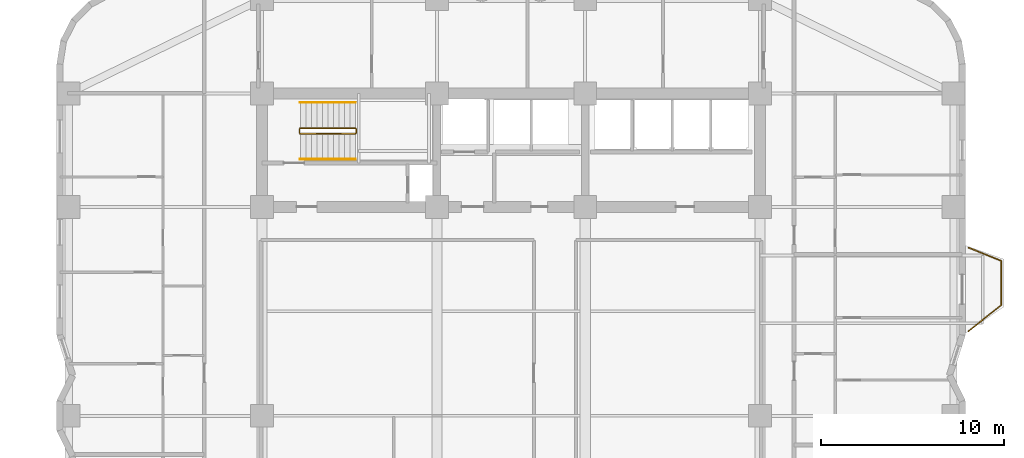
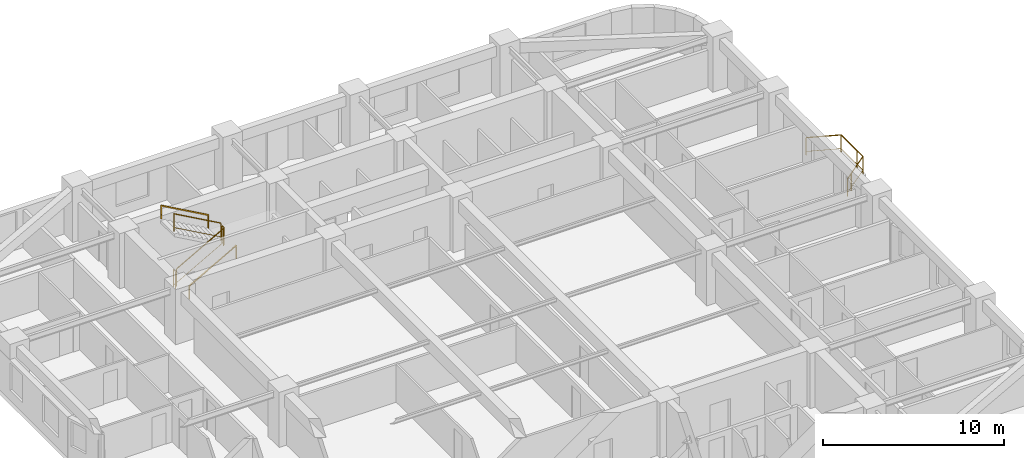
# One storey, part 9 of 9: 7 railings.
"""IFC4 building model written with IfcOpenShell, lengths in metres."""

from ifc_helpers import new_model, si_unit, direction, frame, origin, origin_2d, place, context, subcontext, project, spatial, rectangle, extrude, material, type_object, element, save


model = new_model("IFC4")

# Units and contexts
model_context = context("Model", 3, precision=1e-05, world=origin(), true_north=direction((0.0, 1.0)))
body_context = subcontext(model_context, "Body", "Model", "MODEL_VIEW")
ifc_project = project(units=[si_unit("LENGTHUNIT", "METRE"), si_unit("AREAUNIT", "SQUARE_METRE"), si_unit("VOLUMEUNIT", "CUBIC_METRE"), si_unit("PLANEANGLEUNIT", "RADIAN"), si_unit("MASSUNIT", "GRAM", prefix="KILO")], contexts=[model_context])

# Site, building, storey
site_placement = place(None, origin())
site = spatial("IfcSite", under=ifc_project, at=site_placement, CompositionType="ELEMENT")
building_placement = place(site_placement, origin())
building = spatial("IfcBuilding", under=site, at=building_placement, Name="Svetorya Sky Lyceum", CompositionType="ELEMENT")
storey_placement = place(building_placement, frame((0.0, 0.0, 65.800048828125)))
storey = spatial("IfcBuildingStorey", under=building, at=storey_placement, Name="L16", CompositionType="ELEMENT", Elevation=65.800048828125)

# Railings
ifc_material_1 = material(Name="Laminated safety glass and stainless AISI 316", Category="glass")
railing_type_1 = type_object("IfcRailingType", Name="RL-BAL-1200", PredefinedType="BALUSTRADE", material=ifc_material_1)
railing_1_placement = place(storey_placement, frame((64.169921875, 37.3798828125, 0.0)))
element("IfcRailing", 1, at=railing_1_placement, inside=storey, type_object=railing_type_1, Name="L16 Balcony Balustrade BAL-E1", PredefinedType="BALUSTRADE", context=body_context, shape_type="SweptSolid", body=[
    extrude(rectangle(XDim=0.048095703125, YDim=0.048095703125, at=origin_2d()), frame((0.0, 0.0, 1.17578125), z_axis=(0.926697865975, -0.375807218129, 0.0), x_axis=(0.375807218129, 0.926697865975, 0.0)), (0.0, 0.0, 1.0), 1.9423828125),
    extrude(rectangle(XDim=0.02392578125, YDim=0.02392578125, at=origin_2d()), frame((0.0, 0.0, 0.25), z_axis=(0.926697865975, -0.375807218129, 0.0), x_axis=(0.375807218129, 0.926697865975, 0.0)), (0.0, 0.0, 1.0), 1.9423828125),
    extrude(rectangle(XDim=0.048095703125, YDim=0.048095703125, at=origin_2d()), frame((1.800048828125, -0.72998046875, 1.17578125), z_axis=(0.0, -1.0, 0.0), x_axis=(1.0, 0.0, 0.0)), (0.0, 0.0, 1.0), 2.39990234375),
    extrude(rectangle(XDim=0.02392578125, YDim=0.02392578125, at=origin_2d()), frame((1.800048828125, -0.72998046875, 0.25), z_axis=(0.0, -1.0, 0.0), x_axis=(1.0, 0.0, 0.0)), (0.0, 0.0, 1.0), 2.39990234375),
    extrude(rectangle(XDim=0.048095703125, YDim=0.048095703125, at=origin_2d()), frame((1.800048828125, -3.1298828125, 1.17578125), z_axis=(-0.783008919264, -0.622010476079, 0.0), x_axis=(0.622010476079, -0.783008919264, 0.0)), (0.0, 0.0, 1.0), 2.298828125),
    extrude(rectangle(XDim=0.02392578125, YDim=0.02392578125, at=origin_2d()), frame((1.800048828125, -3.1298828125, 0.25), z_axis=(-0.783008919264, -0.622010476079, 0.0), x_axis=(0.622010476079, -0.783008919264, 0.0)), (0.0, 0.0, 1.0), 2.298828125),
    extrude(rectangle(XDim=0.0419921875, YDim=0.0419921875, at=origin_2d()), origin(), (0.0, 0.0, 1.0), 1.15185546875),
    extrude(rectangle(XDim=0.0419921875, YDim=0.0419921875, at=origin_2d()), frame((1.800048828125, -0.72998046875, 0.0)), (0.0, 0.0, 1.0), 1.15185546875),
    extrude(rectangle(XDim=0.0419921875, YDim=0.0419921875, at=origin_2d()), frame((1.800048828125, -2.47998046875, 0.0)), (0.0, 0.0, 1.0), 1.15185546875),
    extrude(rectangle(XDim=0.0419921875, YDim=0.0419921875, at=origin_2d()), frame((1.800048828125, -3.1298828125, 0.0)), (0.0, 0.0, 1.0), 1.15185546875),
    extrude(rectangle(XDim=0.0419921875, YDim=0.0419921875, at=origin_2d()), frame((0.4296875, -4.218505859375, 0.0)), (0.0, 0.0, 1.0), 1.15185546875),
    extrude(rectangle(XDim=0.0419921875, YDim=0.0419921875, at=origin_2d()), frame((0.0, -4.559814453125, 0.0)), (0.0, 0.0, 1.0), 1.15185546875),
])
ifc_material_2 = material(Name="Painted galvanized stair well guard")
railing_type_2 = type_object("IfcRailingType", Name="RL-STR-GUARD-1200", PredefinedType="GUARDRAIL", material=ifc_material_2)
railing_2_placement = place(storey_placement, frame((27.699951171875, 43.60009765625, 0.168212890625)))
element("IfcRailing", 2, at=railing_2_placement, inside=storey, type_object=railing_type_2, Name="L16 ST-N stair guard 1", PredefinedType="GUARDRAIL", context=body_context, shape_type="SweptSolid", body=[
    extrude(rectangle(XDim=0.048095703125, YDim=0.048095703125, at=origin_2d()), frame((0.0, 0.0, 1.17578125), z_axis=(0.872302573547, 0.0, 0.488966481656), x_axis=(0.0, 1.0, 0.0)), (0.0, 0.0, 1.0), 3.439208984375),
    extrude(rectangle(XDim=0.02392578125, YDim=0.02392578125, at=origin_2d()), frame((0.0, 0.0, 0.25), z_axis=(0.872302573547, 0.0, 0.488966481656), x_axis=(0.0, 1.0, 0.0)), (0.0, 0.0, 1.0), 3.439208984375),
    extrude(rectangle(XDim=0.0419921875, YDim=0.0419921875, at=origin_2d()), origin(), (0.0, 0.0, 1.0), 1.15185546875),
    extrude(rectangle(XDim=0.0419921875, YDim=0.0419921875, at=origin_2d()), frame((3.0, 0.0, 1.681640625)), (0.0, 0.0, 1.0), 1.15185546875),
])
railing_3_placement = place(storey_placement, frame((30.75, 43.64990234375, 1.849853515625)))
element("IfcRailing", 3, at=railing_3_placement, inside=storey, type_object=railing_type_2, Name="L16 ST-N stair guard 2", PredefinedType="GUARDRAIL", context=body_context, shape_type="SweptSolid", body=[
    extrude(rectangle(XDim=0.048095703125, YDim=0.048095703125, at=origin_2d()), frame((0.0, 0.0, 1.17578125), z_axis=(0.0, 1.0, 0.0), x_axis=(-1.0, 0.0, 0.0)), (0.0, 0.0, 1.0), 0.2001953125),
    extrude(rectangle(XDim=0.02392578125, YDim=0.02392578125, at=origin_2d()), frame((0.0, 0.0, 0.25), z_axis=(0.0, 1.0, 0.0), x_axis=(-1.0, 0.0, 0.0)), (0.0, 0.0, 1.0), 0.2001953125),
    extrude(rectangle(XDim=0.0419921875, YDim=0.0419921875, at=origin_2d()), origin(), (0.0, 0.0, 1.0), 1.15185546875),
    extrude(rectangle(XDim=0.0419921875, YDim=0.0419921875, at=origin_2d()), frame((0.0, 0.2001953125, 0.0)), (0.0, 0.0, 1.0), 1.15185546875),
])
railing_4_placement = place(storey_placement, frame((30.699951171875, 43.89990234375, 2.01806640625)))
element("IfcRailing", 4, at=railing_4_placement, inside=storey, type_object=railing_type_2, Name="L16 ST-N stair guard 3", PredefinedType="GUARDRAIL", context=body_context, shape_type="SweptSolid", body=[
    extrude(rectangle(XDim=0.048095703125, YDim=0.048095703125, at=origin_2d()), frame((0.0, 0.0, 1.17578125), z_axis=(-0.872272294576, 0.0, 0.489020494575), x_axis=(0.0, -1.0, 0.0)), (0.0, 0.0, 1.0), 3.439208984375),
    extrude(rectangle(XDim=0.02392578125, YDim=0.02392578125, at=origin_2d()), frame((0.0, 0.0, 0.25), z_axis=(-0.872272294576, 0.0, 0.489020494575), x_axis=(0.0, -1.0, 0.0)), (0.0, 0.0, 1.0), 3.439208984375),
    extrude(rectangle(XDim=0.0419921875, YDim=0.0419921875, at=origin_2d()), origin(), (0.0, 0.0, 1.0), 1.15185546875),
    extrude(rectangle(XDim=0.0419921875, YDim=0.0419921875, at=origin_2d()), frame((-3.0, 0.0, 1.681884765625)), (0.0, 0.0, 1.0), 1.15185546875),
])
railing_5_placement = place(storey_placement, frame((27.64990234375, 43.64990234375, 0.0)))
element("IfcRailing", 5, at=railing_5_placement, inside=storey, type_object=railing_type_2, Name="L16 ST-N stair guard 4", PredefinedType="GUARDRAIL", context=body_context, shape_type="SweptSolid", body=[
    extrude(rectangle(XDim=0.048095703125, YDim=0.048095703125, at=origin_2d()), frame((0.0, 0.0, 1.17578125), z_axis=(0.0, 1.0, 0.0), x_axis=(-1.0, 0.0, 0.0)), (0.0, 0.0, 1.0), 0.2001953125),
    extrude(rectangle(XDim=0.02392578125, YDim=0.02392578125, at=origin_2d()), frame((0.0, 0.0, 0.25), z_axis=(0.0, 1.0, 0.0), x_axis=(-1.0, 0.0, 0.0)), (0.0, 0.0, 1.0), 0.2001953125),
    extrude(rectangle(XDim=0.0419921875, YDim=0.0419921875, at=origin_2d()), origin(), (0.0, 0.0, 1.0), 1.15185546875),
    extrude(rectangle(XDim=0.0419921875, YDim=0.0419921875, at=origin_2d()), frame((0.0, 0.2001953125, 0.0)), (0.0, 0.0, 1.0), 1.15185546875),
])
ifc_material_3 = material(Name="Brushed stainless AISI 304 stair handrail")
railing_type_3 = type_object("IfcRailingType", Name="RL-STR-HAND-920", PredefinedType="HANDRAIL", material=ifc_material_3)
railing_6_placement = place(storey_placement, frame((27.699951171875, 42.199951171875, 0.168212890625)))
element("IfcRailing", 6, at=railing_6_placement, inside=storey, type_object=railing_type_3, Name="L16 ST-N stair handrail 1", PredefinedType="HANDRAIL", context=body_context, shape_type="SweptSolid", body=[
    extrude(rectangle(XDim=0.048095703125, YDim=0.048095703125, at=origin_2d()), frame((0.0, 0.0, 0.8759765625), z_axis=(0.872302573547, 0.0, 0.488966481656), x_axis=(0.0, 1.0, 0.0)), (0.0, 0.0, 1.0), 3.439208984375),
    extrude(rectangle(XDim=0.0419921875, YDim=0.0419921875, at=origin_2d()), origin(), (0.0, 0.0, 1.0), 0.851806640625),
    extrude(rectangle(XDim=0.0419921875, YDim=0.0419921875, at=origin_2d()), frame((3.0, 0.0, 1.681640625)), (0.0, 0.0, 1.0), 0.851806640625),
])
railing_7_placement = place(storey_placement, frame((30.699951171875, 45.300048828125, 2.01806640625)))
element("IfcRailing", 7, at=railing_7_placement, inside=storey, type_object=railing_type_3, Name="L16 ST-N stair handrail 2", PredefinedType="HANDRAIL", context=body_context, shape_type="SweptSolid", body=[
    extrude(rectangle(XDim=0.048095703125, YDim=0.048095703125, at=origin_2d()), frame((0.0, 0.0, 0.8759765625), z_axis=(-0.872272294576, 0.0, 0.489020494575), x_axis=(0.0, -1.0, 0.0)), (0.0, 0.0, 1.0), 3.439208984375),
    extrude(rectangle(XDim=0.0419921875, YDim=0.0419921875, at=origin_2d()), origin(), (0.0, 0.0, 1.0), 0.851806640625),
    extrude(rectangle(XDim=0.0419921875, YDim=0.0419921875, at=origin_2d()), frame((-3.0, 0.0, 1.681884765625)), (0.0, 0.0, 1.0), 0.851806640625),
])

save(model, "model.ifc")
